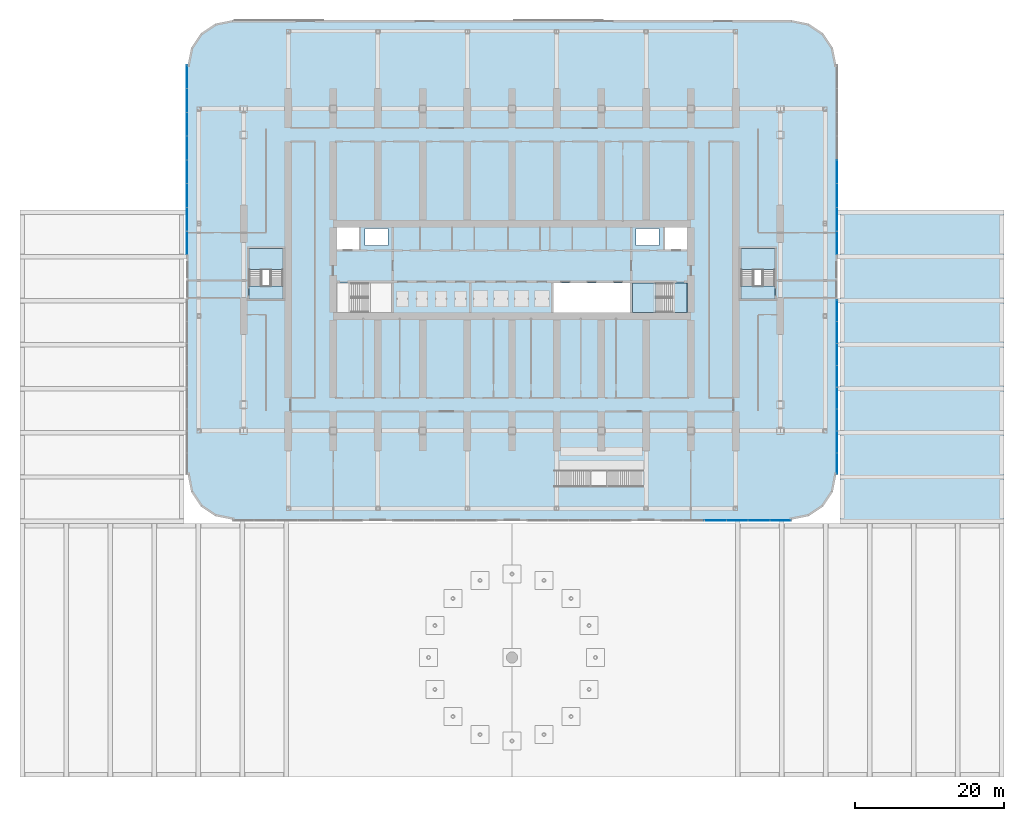
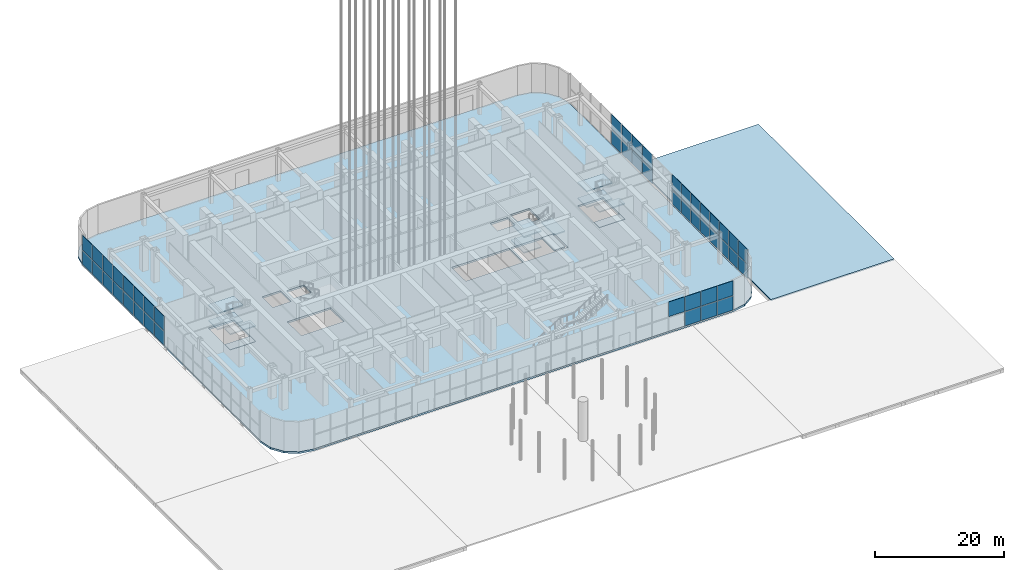
# One storey, part 15 of 57: 47 plates, 14 slabs, 7 elements without a shape of their own.
"""IFC4 building model written with IfcOpenShell, lengths in metres."""

from ifc_helpers import new_model, si_unit, direction, frame, origin, origin_2d, place, context, subcontext, project, spatial, polyline, rectangle, outline, extrude, material, layer, layer_set, type_object, element, aggregate, save


model = new_model("IFC4")

# Units and contexts
model_context = context("Model", 3, precision=1e-05, world=origin(), true_north=direction((0.0, 1.0)))
body_context = subcontext(model_context, "Body", "Model", "MODEL_VIEW")
ifc_project = project(units=[si_unit("LENGTHUNIT", "METRE"), si_unit("AREAUNIT", "SQUARE_METRE"), si_unit("VOLUMEUNIT", "CUBIC_METRE"), si_unit("PLANEANGLEUNIT", "RADIAN"), si_unit("MASSUNIT", "GRAM", prefix="KILO")], contexts=[model_context])

# Site, building, storey
site_placement = place(None, origin())
site = spatial("IfcSite", under=ifc_project, at=site_placement, CompositionType="ELEMENT")
building_placement = place(site_placement, origin())
building = spatial("IfcBuilding", under=site, at=building_placement, Name="Orbita Commons", CompositionType="ELEMENT")
storey_placement = place(building_placement, origin())
storey = spatial("IfcBuildingStorey", under=building, at=storey_placement, Name="L00", CompositionType="ELEMENT", Elevation=0.0)

# Slab
ifc_material_1 = material(Name="Concrete C40/50", Category="concrete")
ifc_layer_1 = layer(ifc_material_1, 0.35009765625)
ifc_layer_set_1 = layer_set([ifc_layer_1], Name="Concrete C40/50")
slab_type_1 = type_object("IfcSlabType", Name="Floor slab 350", PredefinedType="FLOOR", material=ifc_layer_set_1)
slab_1_placement = place(storey_placement, frame((0.0, 0.0, -0.35009765625)))
element("IfcSlab", 1, at=slab_1_placement, inside=storey, type_object=slab_type_1, Name="Floor slab L00", PredefinedType="FLOOR", context=body_context, shape_type="SweptSolid", body=[
    extrude(outline(polyline([(79.5, -1.5), (81.796142578125, -1.043212890625), (83.74267578125, 0.25732421875), (85.043212890625, 2.203857421875), (85.5, 4.5), (85.5, 59.5), (85.043212890625, 61.796142578125), (83.74267578125, 63.74267578125), (81.796142578125, 65.043212890625), (79.5, 65.5), (4.5, 65.5), (2.203857421875, 65.043212890625), (0.25732421875, 63.74267578125), (-1.043212890625, 61.796142578125), (-1.5, 59.5), (-1.5, 4.5), (-1.043212890625, 2.203857421875), (0.25732421875, 0.25732421875), (2.203857421875, -1.043212890625), (4.5, -1.5), (79.5, -1.5)]), holes=[polyline([(18.14990234375, 25.949951171875), (25.85009765625, 25.949951171875), (25.85009765625, 30.25), (18.14990234375, 30.25), (18.14990234375, 25.949951171875)]), polyline([(58.14990234375, 25.949951171875), (65.85009765625, 25.949951171875), (65.85009765625, 30.25), (58.14990234375, 30.25), (58.14990234375, 25.949951171875)]), polyline([(18.14990234375, 34.75), (21.449951171875, 34.75), (21.449951171875, 38.050048828125), (18.14990234375, 38.050048828125), (18.14990234375, 34.75)]), polyline([(62.550048828125, 34.75), (65.85009765625, 34.75), (65.85009765625, 38.050048828125), (62.550048828125, 38.050048828125), (62.550048828125, 34.75)]), polyline([(22.25, 35.25), (25.35009765625, 35.25), (25.35009765625, 37.550048828125), (22.25, 37.550048828125), (22.25, 35.25)]), polyline([(58.64990234375, 35.25), (61.75, 35.25), (61.75, 37.550048828125), (58.64990234375, 37.550048828125), (58.64990234375, 35.25)]), polyline([(47.550048828125, 25.949951171875), (57.85009765625, 25.949951171875), (57.85009765625, 30.25), (47.550048828125, 30.25), (47.550048828125, 25.949951171875)]), polyline([(11.2900390625, 28.110107421875), (6.7099609375, 28.110107421875), (6.7099609375, 29.820068359375), (6.72509765625, 29.820068359375), (6.72509765625, 30.320068359375), (6.72509765625, 34.875), (11.27490234375, 34.875), (11.27490234375, 30.320068359375), (11.27490234375, 29.820068359375), (11.2900390625, 29.820068359375), (11.2900390625, 28.110107421875)]), polyline([(77.2900390625, 28.110107421875), (72.7099609375, 28.110107421875), (72.7099609375, 29.820068359375), (72.72509765625, 29.820068359375), (72.72509765625, 30.320068359375), (72.72509765625, 34.875), (77.27490234375, 34.875), (77.27490234375, 30.320068359375), (77.27490234375, 29.820068359375), (77.2900390625, 29.820068359375), (77.2900390625, 28.110107421875)])]), origin(), (0.0, 0.0, 1.0), 0.35009765625),
])

# Curtain wall, plates
ifc_material_2 = material(Name="Anodised aluminium frame, pale silver", Category="aluminium")
curtain_wall_type = type_object("IfcCurtainWallType", Name="Lobby curtain wall CW-L", PredefinedType="NOTDEFINED", material=ifc_material_2)
curtain_wall_1_placement = place(storey_placement, origin())
curtain_wall_1 = element("IfcCurtainWall", 2, at=curtain_wall_1_placement, inside=storey, type_object=curtain_wall_type, Name="Curtain wall S 4 L00", PredefinedType="NOTDEFINED")
ifc_material_3 = material(Name="Laminated glass", Category="glass")
ifc_layer_2 = layer(ifc_material_3, 0.0400390625)
ifc_layer_set_2 = layer_set([ifc_layer_2], Name="Laminated glass")
plate_type = type_object("IfcPlateType", Name="Lobby vision panel, laminated glass 40", PredefinedType="CURTAIN_PANEL", material=ifc_layer_set_2)
plate_1_placement = place(storey_placement, frame((69.291748046875, -1.610107421875, 2.875), z_axis=(0.0, 0.0, 1.0), x_axis=(1.0, 0.0, 0.0)))
plate_1 = element("IfcPlate", 3, at=plate_1_placement, type_object=plate_type, Name="Panel 3.2 CW-L00-S3", PredefinedType="CURTAIN_PANEL", context=body_context, shape_type="SweptSolid", body=[
    extrude(rectangle(XDim=2.836669921875, YDim=0.0400390625, at=origin_2d()), origin(), (0.0, 0.0, 1.0), 2.77490234375),
])
plate_2_placement = place(storey_placement, frame((72.208251953125, -1.610107421875, 0.10009765625), z_axis=(0.0, 0.0, 1.0), x_axis=(1.0, 0.0, 0.0)))
plate_2 = element("IfcPlate", 4, at=plate_2_placement, type_object=plate_type, Name="Panel 4.1 CW-L00-S3", PredefinedType="CURTAIN_PANEL", context=body_context, shape_type="SweptSolid", body=[
    extrude(rectangle(XDim=2.836669921875, YDim=0.0400390625, at=origin_2d()), origin(), (0.0, 0.0, 1.0), 2.675048828125),
])
plate_3_placement = place(storey_placement, frame((72.208251953125, -1.610107421875, 2.875), z_axis=(0.0, 0.0, 1.0), x_axis=(1.0, 0.0, 0.0)))
plate_3 = element("IfcPlate", 5, at=plate_3_placement, type_object=plate_type, Name="Panel 4.2 CW-L00-S3", PredefinedType="CURTAIN_PANEL", context=body_context, shape_type="SweptSolid", body=[
    extrude(rectangle(XDim=2.836669921875, YDim=0.0400390625, at=origin_2d()), origin(), (0.0, 0.0, 1.0), 2.77490234375),
])
plate_4_placement = place(storey_placement, frame((75.125, -1.610107421875, 0.10009765625), z_axis=(0.0, 0.0, 1.0), x_axis=(1.0, 0.0, 0.0)))
plate_4 = element("IfcPlate", 6, at=plate_4_placement, type_object=plate_type, Name="Panel 5.1 CW-L00-S3", PredefinedType="CURTAIN_PANEL", context=body_context, shape_type="SweptSolid", body=[
    extrude(rectangle(XDim=2.836669921875, YDim=0.0400390625, at=origin_2d()), origin(), (0.0, 0.0, 1.0), 2.675048828125),
])
plate_5_placement = place(storey_placement, frame((75.125, -1.610107421875, 2.875), z_axis=(0.0, 0.0, 1.0), x_axis=(1.0, 0.0, 0.0)))
plate_5 = element("IfcPlate", 7, at=plate_5_placement, type_object=plate_type, Name="Panel 5.2 CW-L00-S3", PredefinedType="CURTAIN_PANEL", context=body_context, shape_type="SweptSolid", body=[
    extrude(rectangle(XDim=2.836669921875, YDim=0.0400390625, at=origin_2d()), origin(), (0.0, 0.0, 1.0), 2.77490234375),
])
plate_6_placement = place(storey_placement, frame((78.021728515625, -1.610107421875, 0.10009765625), z_axis=(0.0, 0.0, 1.0), x_axis=(1.0, 0.0, 0.0)))
plate_6 = element("IfcPlate", 8, at=plate_6_placement, type_object=plate_type, Name="Panel 6.1 CW-L00-S3", PredefinedType="CURTAIN_PANEL", context=body_context, shape_type="SweptSolid", body=[
    extrude(rectangle(XDim=2.796630859375, YDim=0.0400390625, at=origin_2d()), origin(), (0.0, 0.0, 1.0), 2.675048828125),
])
plate_7_placement = place(storey_placement, frame((78.021728515625, -1.610107421875, 2.875), z_axis=(0.0, 0.0, 1.0), x_axis=(1.0, 0.0, 0.0)))
plate_7 = element("IfcPlate", 9, at=plate_7_placement, type_object=plate_type, Name="Panel 6.2 CW-L00-S3", PredefinedType="CURTAIN_PANEL", context=body_context, shape_type="SweptSolid", body=[
    extrude(rectangle(XDim=2.796630859375, YDim=0.0400390625, at=origin_2d()), origin(), (0.0, 0.0, 1.0), 2.77490234375),
])
aggregate(curtain_wall_1, [plate_1, plate_2, plate_3, plate_4, plate_5, plate_6, plate_7])

curtain_wall_2_placement = place(storey_placement, origin())
curtain_wall_2 = element("IfcCurtainWall", 10, at=curtain_wall_2_placement, inside=storey, type_object=curtain_wall_type, Name="Curtain wall E 1 L00", PredefinedType="NOTDEFINED")
plate_8_placement = place(storey_placement, frame((85.610107421875, 5.98876953125, 0.10009765625), z_axis=(0.0, 0.0, 1.0), x_axis=(0.0, 1.0, 0.0)))
plate_8 = element("IfcPlate", 11, at=plate_8_placement, type_object=plate_type, Name="Panel 1.1 CW-L00-E0", PredefinedType="CURTAIN_PANEL", context=body_context, shape_type="SweptSolid", body=[
    extrude(rectangle(XDim=2.8173828125, YDim=0.0400390625, at=origin_2d()), origin(), (0.0, 0.0, 1.0), 2.675048828125),
])
plate_9_placement = place(storey_placement, frame((85.610107421875, 5.98876953125, 2.875), z_axis=(0.0, 0.0, 1.0), x_axis=(0.0, 1.0, 0.0)))
plate_9 = element("IfcPlate", 12, at=plate_9_placement, type_object=plate_type, Name="Panel 1.2 CW-L00-E0", PredefinedType="CURTAIN_PANEL", context=body_context, shape_type="SweptSolid", body=[
    extrude(rectangle(XDim=2.8173828125, YDim=0.0400390625, at=origin_2d()), origin(), (0.0, 0.0, 1.0), 2.77490234375),
])
plate_10_placement = place(storey_placement, frame((85.610107421875, 8.90625, 0.10009765625), z_axis=(0.0, 0.0, 1.0), x_axis=(0.0, 1.0, 0.0)))
plate_10 = element("IfcPlate", 13, at=plate_10_placement, type_object=plate_type, Name="Panel 2.1 CW-L00-E0", PredefinedType="CURTAIN_PANEL", context=body_context, shape_type="SweptSolid", body=[
    extrude(rectangle(XDim=2.857421875, YDim=0.0400390625, at=origin_2d()), origin(), (0.0, 0.0, 1.0), 2.675048828125),
])
plate_11_placement = place(storey_placement, frame((85.610107421875, 8.90625, 2.875), z_axis=(0.0, 0.0, 1.0), x_axis=(0.0, 1.0, 0.0)))
plate_11 = element("IfcPlate", 14, at=plate_11_placement, type_object=plate_type, Name="Panel 2.2 CW-L00-E0", PredefinedType="CURTAIN_PANEL", context=body_context, shape_type="SweptSolid", body=[
    extrude(rectangle(XDim=2.857421875, YDim=0.0400390625, at=origin_2d()), origin(), (0.0, 0.0, 1.0), 2.77490234375),
])
plate_12_placement = place(storey_placement, frame((85.610107421875, 11.84375, 0.10009765625), z_axis=(0.0, 0.0, 1.0), x_axis=(0.0, 1.0, 0.0)))
plate_12 = element("IfcPlate", 15, at=plate_12_placement, type_object=plate_type, Name="Panel 3.1 CW-L00-E0", PredefinedType="CURTAIN_PANEL", context=body_context, shape_type="SweptSolid", body=[
    extrude(rectangle(XDim=2.857421875, YDim=0.0400390625, at=origin_2d()), origin(), (0.0, 0.0, 1.0), 2.675048828125),
])
plate_13_placement = place(storey_placement, frame((85.610107421875, 11.84375, 2.875), z_axis=(0.0, 0.0, 1.0), x_axis=(0.0, 1.0, 0.0)))
plate_13 = element("IfcPlate", 16, at=plate_13_placement, type_object=plate_type, Name="Panel 3.2 CW-L00-E0", PredefinedType="CURTAIN_PANEL", context=body_context, shape_type="SweptSolid", body=[
    extrude(rectangle(XDim=2.857421875, YDim=0.0400390625, at=origin_2d()), origin(), (0.0, 0.0, 1.0), 2.77490234375),
])
plate_14_placement = place(storey_placement, frame((85.610107421875, 14.78125, 0.10009765625), z_axis=(0.0, 0.0, 1.0), x_axis=(0.0, 1.0, 0.0)))
plate_14 = element("IfcPlate", 17, at=plate_14_placement, type_object=plate_type, Name="Panel 4.1 CW-L00-E0", PredefinedType="CURTAIN_PANEL", context=body_context, shape_type="SweptSolid", body=[
    extrude(rectangle(XDim=2.857421875, YDim=0.0400390625, at=origin_2d()), origin(), (0.0, 0.0, 1.0), 2.675048828125),
])
plate_15_placement = place(storey_placement, frame((85.610107421875, 14.78125, 2.875), z_axis=(0.0, 0.0, 1.0), x_axis=(0.0, 1.0, 0.0)))
plate_15 = element("IfcPlate", 18, at=plate_15_placement, type_object=plate_type, Name="Panel 4.2 CW-L00-E0", PredefinedType="CURTAIN_PANEL", context=body_context, shape_type="SweptSolid", body=[
    extrude(rectangle(XDim=2.857421875, YDim=0.0400390625, at=origin_2d()), origin(), (0.0, 0.0, 1.0), 2.77490234375),
])
plate_16_placement = place(storey_placement, frame((85.610107421875, 17.71875, 0.10009765625), z_axis=(0.0, 0.0, 1.0), x_axis=(0.0, 1.0, 0.0)))
plate_16 = element("IfcPlate", 19, at=plate_16_placement, type_object=plate_type, Name="Panel 5.1 CW-L00-E0", PredefinedType="CURTAIN_PANEL", context=body_context, shape_type="SweptSolid", body=[
    extrude(rectangle(XDim=2.857421875, YDim=0.0400390625, at=origin_2d()), origin(), (0.0, 0.0, 1.0), 2.675048828125),
])
plate_17_placement = place(storey_placement, frame((85.610107421875, 17.71875, 2.875), z_axis=(0.0, 0.0, 1.0), x_axis=(0.0, 1.0, 0.0)))
plate_17 = element("IfcPlate", 20, at=plate_17_placement, type_object=plate_type, Name="Panel 5.2 CW-L00-E0", PredefinedType="CURTAIN_PANEL", context=body_context, shape_type="SweptSolid", body=[
    extrude(rectangle(XDim=2.857421875, YDim=0.0400390625, at=origin_2d()), origin(), (0.0, 0.0, 1.0), 2.77490234375),
])
plate_18_placement = place(storey_placement, frame((85.610107421875, 20.65625, 0.10009765625), z_axis=(0.0, 0.0, 1.0), x_axis=(0.0, 1.0, 0.0)))
plate_18 = element("IfcPlate", 21, at=plate_18_placement, type_object=plate_type, Name="Panel 6.1 CW-L00-E0", PredefinedType="CURTAIN_PANEL", context=body_context, shape_type="SweptSolid", body=[
    extrude(rectangle(XDim=2.857421875, YDim=0.0400390625, at=origin_2d()), origin(), (0.0, 0.0, 1.0), 2.675048828125),
])
plate_19_placement = place(storey_placement, frame((85.610107421875, 20.65625, 2.875), z_axis=(0.0, 0.0, 1.0), x_axis=(0.0, 1.0, 0.0)))
plate_19 = element("IfcPlate", 22, at=plate_19_placement, type_object=plate_type, Name="Panel 6.2 CW-L00-E0", PredefinedType="CURTAIN_PANEL", context=body_context, shape_type="SweptSolid", body=[
    extrude(rectangle(XDim=2.857421875, YDim=0.0400390625, at=origin_2d()), origin(), (0.0, 0.0, 1.0), 2.77490234375),
])
plate_20_placement = place(storey_placement, frame((85.610107421875, 23.59375, 0.10009765625), z_axis=(0.0, 0.0, 1.0), x_axis=(0.0, 1.0, 0.0)))
plate_20 = element("IfcPlate", 23, at=plate_20_placement, type_object=plate_type, Name="Panel 7.1 CW-L00-E0", PredefinedType="CURTAIN_PANEL", context=body_context, shape_type="SweptSolid", body=[
    extrude(rectangle(XDim=2.857421875, YDim=0.0400390625, at=origin_2d()), origin(), (0.0, 0.0, 1.0), 2.675048828125),
])
plate_21_placement = place(storey_placement, frame((85.610107421875, 23.59375, 2.875), z_axis=(0.0, 0.0, 1.0), x_axis=(0.0, 1.0, 0.0)))
plate_21 = element("IfcPlate", 24, at=plate_21_placement, type_object=plate_type, Name="Panel 7.2 CW-L00-E0", PredefinedType="CURTAIN_PANEL", context=body_context, shape_type="SweptSolid", body=[
    extrude(rectangle(XDim=2.857421875, YDim=0.0400390625, at=origin_2d()), origin(), (0.0, 0.0, 1.0), 2.77490234375),
])
plate_22_placement = place(storey_placement, frame((85.610107421875, 26.51123046875, 0.10009765625), z_axis=(0.0, 0.0, 1.0), x_axis=(0.0, 1.0, 0.0)))
plate_22 = element("IfcPlate", 25, at=plate_22_placement, type_object=plate_type, Name="Panel 8.1 CW-L00-E0", PredefinedType="CURTAIN_PANEL", context=body_context, shape_type="SweptSolid", body=[
    extrude(rectangle(XDim=2.8173828125, YDim=0.0400390625, at=origin_2d()), origin(), (0.0, 0.0, 1.0), 2.675048828125),
])
plate_23_placement = place(storey_placement, frame((85.610107421875, 26.51123046875, 2.875), z_axis=(0.0, 0.0, 1.0), x_axis=(0.0, 1.0, 0.0)))
plate_23 = element("IfcPlate", 26, at=plate_23_placement, type_object=plate_type, Name="Panel 8.2 CW-L00-E0", PredefinedType="CURTAIN_PANEL", context=body_context, shape_type="SweptSolid", body=[
    extrude(rectangle(XDim=2.8173828125, YDim=0.0400390625, at=origin_2d()), origin(), (0.0, 0.0, 1.0), 2.77490234375),
])
aggregate(curtain_wall_2, [plate_8, plate_9, plate_10, plate_11, plate_12, plate_13, plate_14, plate_15, plate_16, plate_17, plate_18, plate_19, plate_20, plate_21, plate_22, plate_23])

curtain_wall_3_placement = place(storey_placement, origin())
curtain_wall_3 = element("IfcCurtainWall", 27, at=curtain_wall_3_placement, inside=storey, type_object=curtain_wall_type, Name="Curtain wall E 2 L00", PredefinedType="NOTDEFINED")
plate_24_placement = place(storey_placement, frame((85.610107421875, 35.61376953125, 0.10009765625), z_axis=(0.0, 0.0, 1.0), x_axis=(0.0, 1.0, 0.0)))
plate_24 = element("IfcPlate", 28, at=plate_24_placement, type_object=plate_type, Name="Panel 1.1 CW-L00-E1", PredefinedType="CURTAIN_PANEL", context=body_context, shape_type="SweptSolid", body=[
    extrude(rectangle(XDim=3.0673828125, YDim=0.0400390625, at=origin_2d()), origin(), (0.0, 0.0, 1.0), 2.675048828125),
])
plate_25_placement = place(storey_placement, frame((85.610107421875, 35.61376953125, 2.875), z_axis=(0.0, 0.0, 1.0), x_axis=(0.0, 1.0, 0.0)))
plate_25 = element("IfcPlate", 29, at=plate_25_placement, type_object=plate_type, Name="Panel 1.2 CW-L00-E1", PredefinedType="CURTAIN_PANEL", context=body_context, shape_type="SweptSolid", body=[
    extrude(rectangle(XDim=3.0673828125, YDim=0.0400390625, at=origin_2d()), origin(), (0.0, 0.0, 1.0), 2.77490234375),
])
plate_26_placement = place(storey_placement, frame((85.610107421875, 38.78125, 0.10009765625), z_axis=(0.0, 0.0, 1.0), x_axis=(0.0, 1.0, 0.0)))
plate_26 = element("IfcPlate", 30, at=plate_26_placement, type_object=plate_type, Name="Panel 2.1 CW-L00-E1", PredefinedType="CURTAIN_PANEL", context=body_context, shape_type="SweptSolid", body=[
    extrude(rectangle(XDim=3.107421875, YDim=0.0400390625, at=origin_2d()), origin(), (0.0, 0.0, 1.0), 2.675048828125),
])
plate_27_placement = place(storey_placement, frame((85.610107421875, 38.78125, 2.875), z_axis=(0.0, 0.0, 1.0), x_axis=(0.0, 1.0, 0.0)))
plate_27 = element("IfcPlate", 31, at=plate_27_placement, type_object=plate_type, Name="Panel 2.2 CW-L00-E1", PredefinedType="CURTAIN_PANEL", context=body_context, shape_type="SweptSolid", body=[
    extrude(rectangle(XDim=3.107421875, YDim=0.0400390625, at=origin_2d()), origin(), (0.0, 0.0, 1.0), 2.77490234375),
])
plate_28_placement = place(storey_placement, frame((85.610107421875, 41.96875, 0.10009765625), z_axis=(0.0, 0.0, 1.0), x_axis=(0.0, 1.0, 0.0)))
plate_28 = element("IfcPlate", 32, at=plate_28_placement, type_object=plate_type, Name="Panel 3.1 CW-L00-E1", PredefinedType="CURTAIN_PANEL", context=body_context, shape_type="SweptSolid", body=[
    extrude(rectangle(XDim=3.107421875, YDim=0.0400390625, at=origin_2d()), origin(), (0.0, 0.0, 1.0), 2.675048828125),
])
plate_29_placement = place(storey_placement, frame((85.610107421875, 41.96875, 2.875), z_axis=(0.0, 0.0, 1.0), x_axis=(0.0, 1.0, 0.0)))
plate_29 = element("IfcPlate", 33, at=plate_29_placement, type_object=plate_type, Name="Panel 3.2 CW-L00-E1", PredefinedType="CURTAIN_PANEL", context=body_context, shape_type="SweptSolid", body=[
    extrude(rectangle(XDim=3.107421875, YDim=0.0400390625, at=origin_2d()), origin(), (0.0, 0.0, 1.0), 2.77490234375),
])
plate_30_placement = place(storey_placement, frame((85.610107421875, 45.15625, 0.10009765625), z_axis=(0.0, 0.0, 1.0), x_axis=(0.0, 1.0, 0.0)))
plate_30 = element("IfcPlate", 34, at=plate_30_placement, type_object=plate_type, Name="Panel 4.1 CW-L00-E1", PredefinedType="CURTAIN_PANEL", context=body_context, shape_type="SweptSolid", body=[
    extrude(rectangle(XDim=3.107421875, YDim=0.0400390625, at=origin_2d()), origin(), (0.0, 0.0, 1.0), 2.675048828125),
])
plate_31_placement = place(storey_placement, frame((85.610107421875, 45.15625, 2.875), z_axis=(0.0, 0.0, 1.0), x_axis=(0.0, 1.0, 0.0)))
plate_31 = element("IfcPlate", 35, at=plate_31_placement, type_object=plate_type, Name="Panel 4.2 CW-L00-E1", PredefinedType="CURTAIN_PANEL", context=body_context, shape_type="SweptSolid", body=[
    extrude(rectangle(XDim=3.107421875, YDim=0.0400390625, at=origin_2d()), origin(), (0.0, 0.0, 1.0), 2.77490234375),
])
aggregate(curtain_wall_3, [plate_24, plate_25, plate_26, plate_27, plate_28, plate_29, plate_30, plate_31])

curtain_wall_4_placement = place(storey_placement, origin())
curtain_wall_4 = element("IfcCurtainWall", 36, at=curtain_wall_4_placement, inside=storey, type_object=curtain_wall_type, Name="Curtain wall W 1 L00", PredefinedType="NOTDEFINED")
plate_32_placement = place(storey_placement, frame((-1.610107421875, 57.88623046875, 0.10009765625), z_axis=(0.0, 0.0, 1.0), x_axis=(0.0, -1.0, 0.0)))
plate_32 = element("IfcPlate", 37, at=plate_32_placement, type_object=plate_type, Name="Panel 1.1 CW-L00-W0", PredefinedType="CURTAIN_PANEL", context=body_context, shape_type="SweptSolid", body=[
    extrude(rectangle(XDim=3.0673828125, YDim=0.0400390625, at=origin_2d()), origin(), (0.0, 0.0, 1.0), 2.675048828125),
])
plate_33_placement = place(storey_placement, frame((-1.610107421875, 57.88623046875, 2.875), z_axis=(0.0, 0.0, 1.0), x_axis=(0.0, -1.0, 0.0)))
plate_33 = element("IfcPlate", 38, at=plate_33_placement, type_object=plate_type, Name="Panel 1.2 CW-L00-W0", PredefinedType="CURTAIN_PANEL", context=body_context, shape_type="SweptSolid", body=[
    extrude(rectangle(XDim=3.0673828125, YDim=0.0400390625, at=origin_2d()), origin(), (0.0, 0.0, 1.0), 2.77490234375),
])
plate_34_placement = place(storey_placement, frame((-1.610107421875, 54.71875, 0.10009765625), z_axis=(0.0, 0.0, 1.0), x_axis=(0.0, -1.0, 0.0)))
plate_34 = element("IfcPlate", 39, at=plate_34_placement, type_object=plate_type, Name="Panel 2.1 CW-L00-W0", PredefinedType="CURTAIN_PANEL", context=body_context, shape_type="SweptSolid", body=[
    extrude(rectangle(XDim=3.107421875, YDim=0.0400390625, at=origin_2d()), origin(), (0.0, 0.0, 1.0), 2.675048828125),
])
plate_35_placement = place(storey_placement, frame((-1.610107421875, 54.71875, 2.875), z_axis=(0.0, 0.0, 1.0), x_axis=(0.0, -1.0, 0.0)))
plate_35 = element("IfcPlate", 40, at=plate_35_placement, type_object=plate_type, Name="Panel 2.2 CW-L00-W0", PredefinedType="CURTAIN_PANEL", context=body_context, shape_type="SweptSolid", body=[
    extrude(rectangle(XDim=3.107421875, YDim=0.0400390625, at=origin_2d()), origin(), (0.0, 0.0, 1.0), 2.77490234375),
])
plate_36_placement = place(storey_placement, frame((-1.610107421875, 51.53125, 0.10009765625), z_axis=(0.0, 0.0, 1.0), x_axis=(0.0, -1.0, 0.0)))
plate_36 = element("IfcPlate", 41, at=plate_36_placement, type_object=plate_type, Name="Panel 3.1 CW-L00-W0", PredefinedType="CURTAIN_PANEL", context=body_context, shape_type="SweptSolid", body=[
    extrude(rectangle(XDim=3.107421875, YDim=0.0400390625, at=origin_2d()), origin(), (0.0, 0.0, 1.0), 2.675048828125),
])
plate_37_placement = place(storey_placement, frame((-1.610107421875, 51.53125, 2.875), z_axis=(0.0, 0.0, 1.0), x_axis=(0.0, -1.0, 0.0)))
plate_37 = element("IfcPlate", 42, at=plate_37_placement, type_object=plate_type, Name="Panel 3.2 CW-L00-W0", PredefinedType="CURTAIN_PANEL", context=body_context, shape_type="SweptSolid", body=[
    extrude(rectangle(XDim=3.107421875, YDim=0.0400390625, at=origin_2d()), origin(), (0.0, 0.0, 1.0), 2.77490234375),
])
plate_38_placement = place(storey_placement, frame((-1.610107421875, 48.34375, 0.10009765625), z_axis=(0.0, 0.0, 1.0), x_axis=(0.0, -1.0, 0.0)))
plate_38 = element("IfcPlate", 43, at=plate_38_placement, type_object=plate_type, Name="Panel 4.1 CW-L00-W0", PredefinedType="CURTAIN_PANEL", context=body_context, shape_type="SweptSolid", body=[
    extrude(rectangle(XDim=3.107421875, YDim=0.0400390625, at=origin_2d()), origin(), (0.0, 0.0, 1.0), 2.675048828125),
])
plate_39_placement = place(storey_placement, frame((-1.610107421875, 48.34375, 2.875), z_axis=(0.0, 0.0, 1.0), x_axis=(0.0, -1.0, 0.0)))
plate_39 = element("IfcPlate", 44, at=plate_39_placement, type_object=plate_type, Name="Panel 4.2 CW-L00-W0", PredefinedType="CURTAIN_PANEL", context=body_context, shape_type="SweptSolid", body=[
    extrude(rectangle(XDim=3.107421875, YDim=0.0400390625, at=origin_2d()), origin(), (0.0, 0.0, 1.0), 2.77490234375),
])
plate_40_placement = place(storey_placement, frame((-1.610107421875, 45.15625, 0.10009765625), z_axis=(0.0, 0.0, 1.0), x_axis=(0.0, -1.0, 0.0)))
plate_40 = element("IfcPlate", 45, at=plate_40_placement, type_object=plate_type, Name="Panel 5.1 CW-L00-W0", PredefinedType="CURTAIN_PANEL", context=body_context, shape_type="SweptSolid", body=[
    extrude(rectangle(XDim=3.107421875, YDim=0.0400390625, at=origin_2d()), origin(), (0.0, 0.0, 1.0), 2.675048828125),
])
plate_41_placement = place(storey_placement, frame((-1.610107421875, 45.15625, 2.875), z_axis=(0.0, 0.0, 1.0), x_axis=(0.0, -1.0, 0.0)))
plate_41 = element("IfcPlate", 46, at=plate_41_placement, type_object=plate_type, Name="Panel 5.2 CW-L00-W0", PredefinedType="CURTAIN_PANEL", context=body_context, shape_type="SweptSolid", body=[
    extrude(rectangle(XDim=3.107421875, YDim=0.0400390625, at=origin_2d()), origin(), (0.0, 0.0, 1.0), 2.77490234375),
])
plate_42_placement = place(storey_placement, frame((-1.610107421875, 41.96875, 0.10009765625), z_axis=(0.0, 0.0, 1.0), x_axis=(0.0, -1.0, 0.0)))
plate_42 = element("IfcPlate", 47, at=plate_42_placement, type_object=plate_type, Name="Panel 6.1 CW-L00-W0", PredefinedType="CURTAIN_PANEL", context=body_context, shape_type="SweptSolid", body=[
    extrude(rectangle(XDim=3.107421875, YDim=0.0400390625, at=origin_2d()), origin(), (0.0, 0.0, 1.0), 2.675048828125),
])
plate_43_placement = place(storey_placement, frame((-1.610107421875, 41.96875, 2.875), z_axis=(0.0, 0.0, 1.0), x_axis=(0.0, -1.0, 0.0)))
plate_43 = element("IfcPlate", 48, at=plate_43_placement, type_object=plate_type, Name="Panel 6.2 CW-L00-W0", PredefinedType="CURTAIN_PANEL", context=body_context, shape_type="SweptSolid", body=[
    extrude(rectangle(XDim=3.107421875, YDim=0.0400390625, at=origin_2d()), origin(), (0.0, 0.0, 1.0), 2.77490234375),
])
plate_44_placement = place(storey_placement, frame((-1.610107421875, 38.78125, 0.10009765625), z_axis=(0.0, 0.0, 1.0), x_axis=(0.0, -1.0, 0.0)))
plate_44 = element("IfcPlate", 49, at=plate_44_placement, type_object=plate_type, Name="Panel 7.1 CW-L00-W0", PredefinedType="CURTAIN_PANEL", context=body_context, shape_type="SweptSolid", body=[
    extrude(rectangle(XDim=3.107421875, YDim=0.0400390625, at=origin_2d()), origin(), (0.0, 0.0, 1.0), 2.675048828125),
])
plate_45_placement = place(storey_placement, frame((-1.610107421875, 38.78125, 2.875), z_axis=(0.0, 0.0, 1.0), x_axis=(0.0, -1.0, 0.0)))
plate_45 = element("IfcPlate", 50, at=plate_45_placement, type_object=plate_type, Name="Panel 7.2 CW-L00-W0", PredefinedType="CURTAIN_PANEL", context=body_context, shape_type="SweptSolid", body=[
    extrude(rectangle(XDim=3.107421875, YDim=0.0400390625, at=origin_2d()), origin(), (0.0, 0.0, 1.0), 2.77490234375),
])
plate_46_placement = place(storey_placement, frame((-1.610107421875, 35.61376953125, 0.10009765625), z_axis=(0.0, 0.0, 1.0), x_axis=(0.0, -1.0, 0.0)))
plate_46 = element("IfcPlate", 51, at=plate_46_placement, type_object=plate_type, Name="Panel 8.1 CW-L00-W0", PredefinedType="CURTAIN_PANEL", context=body_context, shape_type="SweptSolid", body=[
    extrude(rectangle(XDim=3.0673828125, YDim=0.0400390625, at=origin_2d()), origin(), (0.0, 0.0, 1.0), 2.675048828125),
])
plate_47_placement = place(storey_placement, frame((-1.610107421875, 35.61376953125, 2.875), z_axis=(0.0, 0.0, 1.0), x_axis=(0.0, -1.0, 0.0)))
plate_47 = element("IfcPlate", 52, at=plate_47_placement, type_object=plate_type, Name="Panel 8.2 CW-L00-W0", PredefinedType="CURTAIN_PANEL", context=body_context, shape_type="SweptSolid", body=[
    extrude(rectangle(XDim=3.0673828125, YDim=0.0400390625, at=origin_2d()), origin(), (0.0, 0.0, 1.0), 2.77490234375),
])
aggregate(curtain_wall_4, [plate_32, plate_33, plate_34, plate_35, plate_36, plate_37, plate_38, plate_39, plate_40, plate_41, plate_42, plate_43, plate_44, plate_45, plate_46, plate_47])

# Slab
ifc_material_4 = material(Name="Granite setts on Concrete C40/50 base", Category="masonry")
ifc_layer_3 = layer(ifc_material_4, 0.25)
ifc_layer_set_3 = layer_set([ifc_layer_3], Name="Granite setts on Concrete C40/50 base")
slab_type_2 = type_object("IfcSlabType", Name="Plaza paving slab, granite setts on concrete base 250", PredefinedType="BASESLAB", material=ifc_layer_set_3)
slab_2_placement = place(storey_placement, frame((0.0, 0.0, -0.25)))
element("IfcSlab", 53, at=slab_2_placement, inside=storey, type_object=slab_type_2, Name="Plaza paving field 6", PredefinedType="BASESLAB", context=body_context, shape_type="SweptSolid", body=[
    extrude(outline(polyline([(108.0, 40.0), (108.0, -2.0), (86.0, -2.0), (86.0, 4.5), (86.0, 40.0), (108.0, 40.0)])), origin(), (0.0, 0.0, 1.0), 0.25),
])

# Stair, slabs
ifc_material_5 = material(Name="Precast concrete C40/50", Category="concrete")
stair_type_1 = type_object("IfcStairType", Name="Exit stair S2 4 flights 9 risers 167", PredefinedType="HALF_TURN_STAIR", material=ifc_material_5)
stair_1_placement = place(storey_placement, origin())
stair_1 = element("IfcStair", 54, at=stair_1_placement, inside=storey, type_object=stair_type_1, Name="Exit stair S2 L00", PredefinedType="HALF_TURN_STAIR")
ifc_material_6 = material(Name="Concrete C40/50", Category="concrete")
ifc_layer_4 = layer(ifc_material_6, 0.199951171875)
ifc_layer_set_4 = layer_set([ifc_layer_4], Name="Concrete C40/50")
slab_type_3 = type_object("IfcSlabType", Name="Stair landing 200", PredefinedType="LANDING", material=ifc_layer_set_4)
slab_3_placement = place(storey_placement, frame((0.0, 0.0, -0.199951171875)))
slab_3 = element("IfcSlab", 55, at=slab_3_placement, type_object=slab_type_3, Name="S2 landing 1", PredefinedType="LANDING", context=body_context, shape_type="SweptSolid", body=[
    extrude(outline(polyline([(63.550048828125, 26.300048828125), (65.5, 26.300048828125), (65.5, 30.25), (63.550048828125, 30.25), (63.550048828125, 26.300048828125)])), origin(), (0.0, 0.0, 1.0), 0.199951171875),
])
slab_4_placement = place(storey_placement, frame((0.0, 0.0, 1.300048828125)))
slab_4 = element("IfcSlab", 56, at=slab_4_placement, type_object=slab_type_3, Name="S2 landing 2", PredefinedType="LANDING", context=body_context, shape_type="SweptSolid", body=[
    extrude(outline(polyline([(58.135009765625, 26.284912109375), (61.31005859375, 26.284912109375), (61.31005859375, 30.264892578125), (58.135009765625, 30.264892578125), (58.135009765625, 26.284912109375)])), origin(), (0.0, 0.0, 1.0), 0.199951171875),
])
slab_5_placement = place(storey_placement, frame((0.0, 0.0, 2.800048828125)))
slab_5 = element("IfcSlab", 57, at=slab_5_placement, type_object=slab_type_3, Name="S2 landing 3", PredefinedType="LANDING", context=body_context, shape_type="SweptSolid", body=[
    extrude(outline(polyline([(63.550048828125, 26.284912109375), (65.514892578125, 26.284912109375), (65.514892578125, 30.264892578125), (63.550048828125, 30.264892578125), (63.550048828125, 26.284912109375)])), origin(), (0.0, 0.0, 1.0), 0.199951171875),
])
slab_6_placement = place(storey_placement, frame((0.0, 0.0, 4.300048828125)))
slab_6 = element("IfcSlab", 58, at=slab_6_placement, type_object=slab_type_3, Name="S2 landing 4", PredefinedType="LANDING", context=body_context, shape_type="SweptSolid", body=[
    extrude(outline(polyline([(58.135009765625, 26.284912109375), (61.31005859375, 26.284912109375), (61.31005859375, 30.264892578125), (58.135009765625, 30.264892578125), (58.135009765625, 26.284912109375)])), origin(), (0.0, 0.0, 1.0), 0.199951171875),
])
aggregate(stair_1, [slab_3, slab_4, slab_5, slab_6])

ifc_material_7 = material(Name="Precast concrete C40/50", Category="concrete")
stair_type_2 = type_object("IfcStairType", Name="Podium exit stair 4 flights 9 risers 167", PredefinedType="HALF_TURN_STAIR", material=ifc_material_7)
stair_2_placement = place(storey_placement, origin())
stair_2 = element("IfcStair", 59, at=stair_2_placement, inside=storey, type_object=stair_type_2, Name="Podium exit stair PS1 L00", PredefinedType="HALF_TURN_STAIR")
slab_7_placement = place(storey_placement, frame((0.0, 0.0, -0.199951171875)))
slab_7 = element("IfcSlab", 60, at=slab_7_placement, type_object=slab_type_3, Name="PS1 landing 1", PredefinedType="LANDING", context=body_context, shape_type="SweptSolid", body=[
    extrude(outline(polyline([(6.7099609375, 28.110107421875), (11.2900390625, 28.110107421875), (11.2900390625, 29.820068359375), (6.7099609375, 29.820068359375), (6.7099609375, 28.110107421875)])), origin(), (0.0, 0.0, 1.0), 0.199951171875),
])
slab_8_placement = place(storey_placement, frame((0.0, 0.0, 1.300048828125)))
slab_8 = element("IfcSlab", 61, at=slab_8_placement, type_object=slab_type_3, Name="PS1 landing 2", PredefinedType="LANDING", context=body_context, shape_type="SweptSolid", body=[
    extrude(outline(polyline([(6.7099609375, 32.06005859375), (11.2900390625, 32.06005859375), (11.2900390625, 34.889892578125), (6.7099609375, 34.889892578125), (6.7099609375, 32.06005859375)])), origin(), (0.0, 0.0, 1.0), 0.199951171875),
])
slab_9_placement = place(storey_placement, frame((0.0, 0.0, 2.800048828125)))
slab_9 = element("IfcSlab", 62, at=slab_9_placement, type_object=slab_type_3, Name="PS1 landing 3", PredefinedType="LANDING", context=body_context, shape_type="SweptSolid", body=[
    extrude(outline(polyline([(6.7099609375, 28.110107421875), (11.2900390625, 28.110107421875), (11.2900390625, 29.820068359375), (6.7099609375, 29.820068359375), (6.7099609375, 28.110107421875)])), origin(), (0.0, 0.0, 1.0), 0.199951171875),
])
slab_10_placement = place(storey_placement, frame((0.0, 0.0, 4.300048828125)))
slab_10 = element("IfcSlab", 63, at=slab_10_placement, type_object=slab_type_3, Name="PS1 landing 4", PredefinedType="LANDING", context=body_context, shape_type="SweptSolid", body=[
    extrude(outline(polyline([(6.7099609375, 32.06005859375), (11.2900390625, 32.06005859375), (11.2900390625, 34.889892578125), (6.7099609375, 34.889892578125), (6.7099609375, 32.06005859375)])), origin(), (0.0, 0.0, 1.0), 0.199951171875),
])
aggregate(stair_2, [slab_7, slab_8, slab_9, slab_10])

stair_3_placement = place(storey_placement, origin())
stair_3 = element("IfcStair", 64, at=stair_3_placement, inside=storey, type_object=stair_type_2, Name="Podium exit stair PS2 L00", PredefinedType="HALF_TURN_STAIR")
slab_11_placement = place(storey_placement, frame((0.0, 0.0, -0.199951171875)))
slab_11 = element("IfcSlab", 65, at=slab_11_placement, type_object=slab_type_3, Name="PS2 landing 1", PredefinedType="LANDING", context=body_context, shape_type="SweptSolid", body=[
    extrude(outline(polyline([(72.7099609375, 28.110107421875), (77.2900390625, 28.110107421875), (77.2900390625, 29.820068359375), (72.7099609375, 29.820068359375), (72.7099609375, 28.110107421875)])), origin(), (0.0, 0.0, 1.0), 0.199951171875),
])
slab_12_placement = place(storey_placement, frame((0.0, 0.0, 1.300048828125)))
slab_12 = element("IfcSlab", 66, at=slab_12_placement, type_object=slab_type_3, Name="PS2 landing 2", PredefinedType="LANDING", context=body_context, shape_type="SweptSolid", body=[
    extrude(outline(polyline([(72.7099609375, 32.06005859375), (77.2900390625, 32.06005859375), (77.2900390625, 34.889892578125), (72.7099609375, 34.889892578125), (72.7099609375, 32.06005859375)])), origin(), (0.0, 0.0, 1.0), 0.199951171875),
])
slab_13_placement = place(storey_placement, frame((0.0, 0.0, 2.800048828125)))
slab_13 = element("IfcSlab", 67, at=slab_13_placement, type_object=slab_type_3, Name="PS2 landing 3", PredefinedType="LANDING", context=body_context, shape_type="SweptSolid", body=[
    extrude(outline(polyline([(72.7099609375, 28.110107421875), (77.2900390625, 28.110107421875), (77.2900390625, 29.820068359375), (72.7099609375, 29.820068359375), (72.7099609375, 28.110107421875)])), origin(), (0.0, 0.0, 1.0), 0.199951171875),
])
slab_14_placement = place(storey_placement, frame((0.0, 0.0, 4.300048828125)))
slab_14 = element("IfcSlab", 68, at=slab_14_placement, type_object=slab_type_3, Name="PS2 landing 4", PredefinedType="LANDING", context=body_context, shape_type="SweptSolid", body=[
    extrude(outline(polyline([(72.7099609375, 32.06005859375), (77.2900390625, 32.06005859375), (77.2900390625, 34.889892578125), (72.7099609375, 34.889892578125), (72.7099609375, 32.06005859375)])), origin(), (0.0, 0.0, 1.0), 0.199951171875),
])
aggregate(stair_3, [slab_11, slab_12, slab_13, slab_14])

save(model, "model.ifc")
